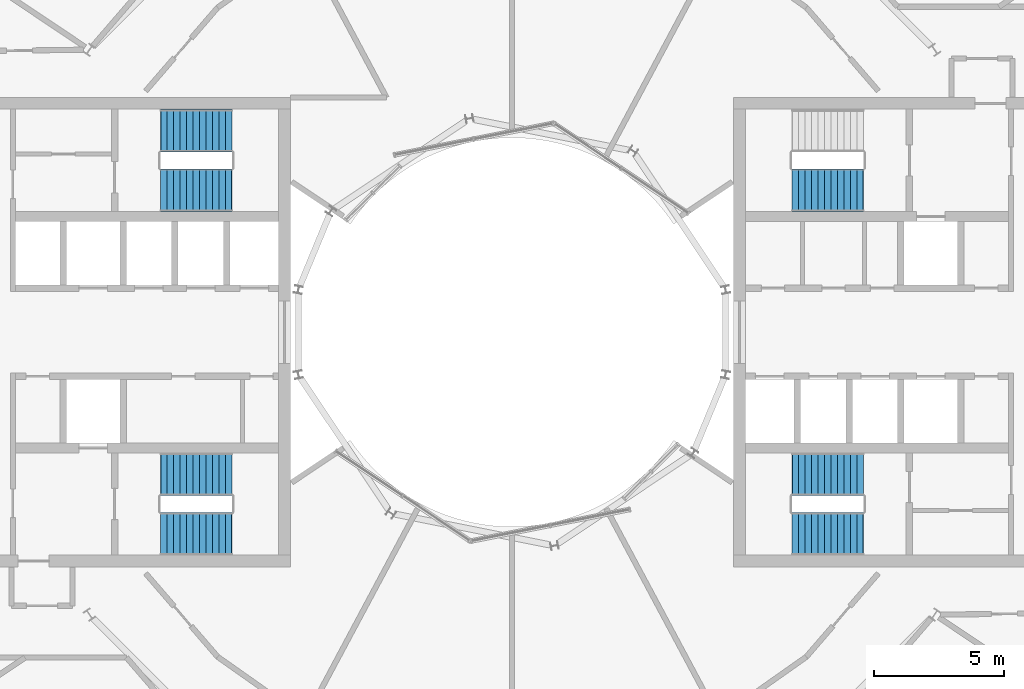
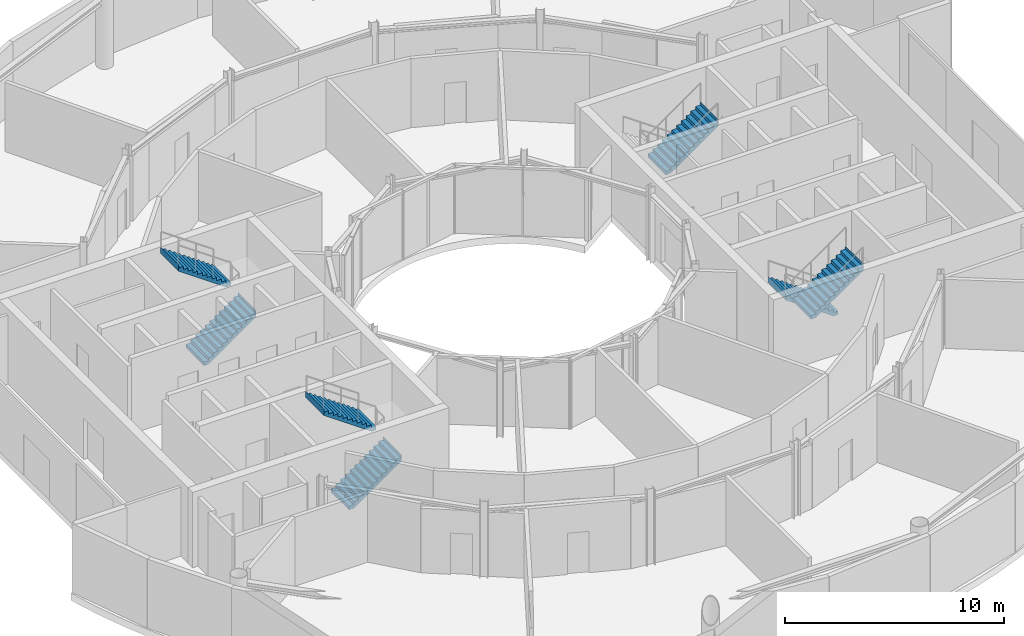
# One storey, part 17 of 19: 7 stair flights, 4 elements without a shape of their own.
"""IFC4 building model written with IfcOpenShell, lengths in metres."""

from ifc_helpers import new_model, si_unit, direction, frame, origin, place, context, subcontext, project, spatial, triangles, material, type_object, element, aggregate, save


model = new_model("IFC4")

# Units and contexts
model_context = context("Model", 3, precision=1e-05, world=origin(), true_north=direction((0.0, 1.0)))
body_context = subcontext(model_context, "Body", "Model", "MODEL_VIEW")
ifc_project = project(units=[si_unit("LENGTHUNIT", "METRE"), si_unit("AREAUNIT", "SQUARE_METRE"), si_unit("VOLUMEUNIT", "CUBIC_METRE"), si_unit("PLANEANGLEUNIT", "RADIAN"), si_unit("MASSUNIT", "GRAM", prefix="KILO")], contexts=[model_context])

# Site, building, storey
site_placement = place(None, origin())
site = spatial("IfcSite", under=ifc_project, at=site_placement, CompositionType="ELEMENT")
building_placement = place(site_placement, origin())
building = spatial("IfcBuilding", under=site, at=building_placement, Name="Maasbend Ring Residences", CompositionType="ELEMENT")
storey_placement = place(building_placement, frame((0.0, 0.0, 186.0)))
storey = spatial("IfcBuildingStorey", under=building, at=storey_placement, Name="L53", CompositionType="ELEMENT", Elevation=186.0)

# Stair, stair flight
ifc_material_1 = material(Name="Concrete C40/50", Category="concrete")
stair_type = type_object("IfcStairType", Name="CORE STAIR 24 RISERS", PredefinedType="HALF_TURN_STAIR", material=ifc_material_1)
stair_1_placement = place(storey_placement, origin())
stair_1 = element("IfcStair", 1, at=stair_1_placement, inside=storey, type_object=stair_type, Name="L53 Exit stair ST-E1", PredefinedType="HALF_TURN_STAIR")
ifc_material_2 = material(Name="Concrete C40/50", Category="concrete")
stair_flight_type = type_object("IfcStairFlightType", Name="CORE STAIR FLIGHT 1650", PredefinedType="STRAIGHT", material=ifc_material_2)
stair_flight_1_placement = place(storey_placement, frame((10.800048828125, 5.47509765625, 2.10009765625), z_axis=(0.0, 0.0, 1.0), x_axis=(1.0, 0.0, 0.0)))
stair_flight_1 = element("IfcStairFlight", 2, at=stair_flight_1_placement, type_object=stair_flight_type, Name="ST-E1 flight 2", NumberOfRisers=12, NumberOfTreads=11, PredefinedType="STRAIGHT", RiserHeight=0.175, TreadLength=0.25, context=body_context, shape_type="Tessellation", body=[
    triangles([(0.23583984375, 0.824951171875, -0.02001953125), (2.7529296875, 0.824951171875, 1.741943359375), (2.7529296875, 0.824951171875, 2.10009765625), (2.739990234375, 0.824951171875, 1.925048828125), (2.5, 0.824951171875, 1.925048828125), (2.5, 0.824951171875, 1.75), (2.25, 0.824951171875, 1.75), (2.25, 0.824951171875, 1.574951171875), (2.0, 0.824951171875, 1.574951171875), (2.0, 0.824951171875, 1.39990234375), (1.75, 0.824951171875, 1.39990234375), (1.75, 0.824951171875, 1.22509765625), (1.5, 0.824951171875, 1.22509765625), (1.5, 0.824951171875, 1.050048828125), (1.25, 0.824951171875, 1.050048828125), (1.25, 0.824951171875, 0.875), (1.0, 0.824951171875, 0.875), (1.0, 0.824951171875, 0.699951171875), (0.75, 0.824951171875, 0.699951171875), (0.75, 0.824951171875, 0.52490234375), (0.5, 0.824951171875, 0.52490234375), (0.5, 0.824951171875, 0.35009765625), (0.25, 0.824951171875, 0.35009765625), (0.25, 0.824951171875, 0.175048828125), (0.0, 0.824951171875, 0.175048828125), (0.0, 0.824951171875, 0.0), (-0.0029296875, 0.824951171875, 0.0), (-0.0029296875, 0.824951171875, -0.02001953125), (0.23583984375, -0.824951171875, -0.02001953125), (2.7529296875, -0.824951171875, 1.741943359375), (2.7529296875, -0.824951171875, 2.10009765625), (2.739990234375, -0.824951171875, 1.925048828125), (2.5, -0.824951171875, 1.925048828125), (2.5, -0.824951171875, 1.75), (2.25, -0.824951171875, 1.75), (2.25, -0.824951171875, 1.574951171875), (2.0, -0.824951171875, 1.574951171875), (2.0, -0.824951171875, 1.39990234375), (1.75, -0.824951171875, 1.39990234375), (1.75, -0.824951171875, 1.22509765625), (1.5, -0.824951171875, 1.22509765625), (1.5, -0.824951171875, 1.050048828125), (1.25, -0.824951171875, 1.050048828125), (1.25, -0.824951171875, 0.875), (1.0, -0.824951171875, 0.875), (1.0, -0.824951171875, 0.699951171875), (0.75, -0.824951171875, 0.699951171875), (0.75, -0.824951171875, 0.52490234375), (0.5, -0.824951171875, 0.52490234375), (0.5, -0.824951171875, 0.35009765625), (0.25, -0.824951171875, 0.35009765625), (0.25, -0.824951171875, 0.175048828125), (0.0, -0.824951171875, 0.175048828125), (0.0, -0.824951171875, 0.0), (-0.0029296875, -0.824951171875, 0.0), (-0.0029296875, -0.824951171875, -0.02001953125)], [[1, 2, 30], [1, 30, 29], [2, 3, 31], [2, 31, 30], [3, 4, 32], [3, 32, 31], [4, 5, 33], [4, 33, 32], [5, 6, 34], [5, 34, 33], [6, 7, 35], [6, 35, 34], [7, 8, 36], [7, 36, 35], [8, 9, 37], [8, 37, 36], [9, 10, 38], [9, 38, 37], [10, 11, 39], [10, 39, 38], [11, 12, 40], [11, 40, 39], [12, 13, 41], [12, 41, 40], [13, 14, 42], [13, 42, 41], [14, 15, 43], [14, 43, 42], [15, 16, 44], [15, 44, 43], [16, 17, 45], [16, 45, 44], [17, 18, 46], [17, 46, 45], [18, 19, 47], [18, 47, 46], [19, 20, 48], [19, 48, 47], [20, 21, 49], [20, 49, 48], [21, 22, 50], [21, 50, 49], [22, 23, 51], [22, 51, 50], [23, 24, 52], [23, 52, 51], [24, 25, 53], [24, 53, 52], [25, 26, 54], [25, 54, 53], [26, 27, 55], [26, 55, 54], [27, 28, 56], [27, 56, 55], [28, 1, 29], [28, 29, 56], [28, 2, 1], [2, 4, 3], [2, 5, 4], [2, 6, 5], [28, 6, 2], [6, 8, 7], [28, 8, 6], [8, 10, 9], [28, 10, 8], [10, 12, 11], [28, 12, 10], [12, 14, 13], [28, 14, 12], [14, 16, 15], [28, 16, 14], [16, 18, 17], [28, 18, 16], [18, 20, 19], [28, 20, 18], [20, 22, 21], [28, 22, 20], [22, 24, 23], [28, 24, 22], [24, 26, 25], [28, 26, 24], [26, 28, 27], [56, 29, 30], [30, 31, 32], [30, 32, 33], [30, 33, 34], [56, 30, 34], [34, 35, 36], [56, 34, 36], [36, 37, 38], [56, 36, 38], [38, 39, 40], [56, 38, 40], [40, 41, 42], [56, 40, 42], [42, 43, 44], [56, 42, 44], [44, 45, 46], [56, 44, 46], [46, 47, 48], [56, 46, 48], [48, 49, 50], [56, 48, 50], [50, 51, 52], [56, 50, 52], [52, 53, 54], [56, 52, 54], [54, 55, 56]], closed=True),
])
aggregate(stair_1, [stair_flight_1])

# Stair, stair flights
stair_2_placement = place(storey_placement, origin())
stair_2 = element("IfcStair", 3, at=stair_2_placement, inside=storey, type_object=stair_type, Name="L53 Exit stair ST-E2", PredefinedType="HALF_TURN_STAIR")
stair_flight_2_placement = place(storey_placement, frame((13.550048828125, -5.47509765625, 0.0), z_axis=(0.0, 0.0, 1.0), x_axis=(-1.0, 0.0, 0.0)))
stair_flight_2 = element("IfcStairFlight", 4, at=stair_flight_2_placement, type_object=stair_flight_type, Name="ST-E2 flight 1", NumberOfRisers=12, NumberOfTreads=11, PredefinedType="STRAIGHT", RiserHeight=0.175, TreadLength=0.25, context=body_context, shape_type="Tessellation", body=[
    triangles([(0.23583984375, 0.824951171875, -0.02001953125), (2.7529296875, 0.824951171875, 1.741943359375), (2.7529296875, 0.824951171875, 2.10009765625), (2.739990234375, 0.824951171875, 1.925048828125), (2.5, 0.824951171875, 1.925048828125), (2.5, 0.824951171875, 1.75), (2.25, 0.824951171875, 1.75), (2.25, 0.824951171875, 1.574951171875), (2.0, 0.824951171875, 1.574951171875), (2.0, 0.824951171875, 1.39990234375), (1.75, 0.824951171875, 1.39990234375), (1.75, 0.824951171875, 1.22509765625), (1.5, 0.824951171875, 1.22509765625), (1.5, 0.824951171875, 1.050048828125), (1.25, 0.824951171875, 1.050048828125), (1.25, 0.824951171875, 0.875), (1.0, 0.824951171875, 0.875), (1.0, 0.824951171875, 0.699951171875), (0.75, 0.824951171875, 0.699951171875), (0.75, 0.824951171875, 0.52490234375), (0.5, 0.824951171875, 0.52490234375), (0.5, 0.824951171875, 0.35009765625), (0.25, 0.824951171875, 0.35009765625), (0.25, 0.824951171875, 0.175048828125), (0.0, 0.824951171875, 0.175048828125), (0.0, 0.824951171875, 0.0), (-0.0029296875, 0.824951171875, 0.0), (-0.0029296875, 0.824951171875, -0.02001953125), (0.23583984375, -0.824951171875, -0.02001953125), (2.7529296875, -0.824951171875, 1.741943359375), (2.7529296875, -0.824951171875, 2.10009765625), (2.739990234375, -0.824951171875, 1.925048828125), (2.5, -0.824951171875, 1.925048828125), (2.5, -0.824951171875, 1.75), (2.25, -0.824951171875, 1.75), (2.25, -0.824951171875, 1.574951171875), (2.0, -0.824951171875, 1.574951171875), (2.0, -0.824951171875, 1.39990234375), (1.75, -0.824951171875, 1.39990234375), (1.75, -0.824951171875, 1.22509765625), (1.5, -0.824951171875, 1.22509765625), (1.5, -0.824951171875, 1.050048828125), (1.25, -0.824951171875, 1.050048828125), (1.25, -0.824951171875, 0.875), (1.0, -0.824951171875, 0.875), (1.0, -0.824951171875, 0.699951171875), (0.75, -0.824951171875, 0.699951171875), (0.75, -0.824951171875, 0.52490234375), (0.5, -0.824951171875, 0.52490234375), (0.5, -0.824951171875, 0.35009765625), (0.25, -0.824951171875, 0.35009765625), (0.25, -0.824951171875, 0.175048828125), (0.0, -0.824951171875, 0.175048828125), (0.0, -0.824951171875, 0.0), (-0.0029296875, -0.824951171875, 0.0), (-0.0029296875, -0.824951171875, -0.02001953125)], [[1, 2, 30], [1, 30, 29], [2, 3, 31], [2, 31, 30], [3, 4, 32], [3, 32, 31], [4, 5, 33], [4, 33, 32], [5, 6, 34], [5, 34, 33], [6, 7, 35], [6, 35, 34], [7, 8, 36], [7, 36, 35], [8, 9, 37], [8, 37, 36], [9, 10, 38], [9, 38, 37], [10, 11, 39], [10, 39, 38], [11, 12, 40], [11, 40, 39], [12, 13, 41], [12, 41, 40], [13, 14, 42], [13, 42, 41], [14, 15, 43], [14, 43, 42], [15, 16, 44], [15, 44, 43], [16, 17, 45], [16, 45, 44], [17, 18, 46], [17, 46, 45], [18, 19, 47], [18, 47, 46], [19, 20, 48], [19, 48, 47], [20, 21, 49], [20, 49, 48], [21, 22, 50], [21, 50, 49], [22, 23, 51], [22, 51, 50], [23, 24, 52], [23, 52, 51], [24, 25, 53], [24, 53, 52], [25, 26, 54], [25, 54, 53], [26, 27, 55], [26, 55, 54], [27, 28, 56], [27, 56, 55], [28, 1, 29], [28, 29, 56], [28, 2, 1], [2, 4, 3], [2, 5, 4], [2, 6, 5], [28, 6, 2], [6, 8, 7], [28, 8, 6], [8, 10, 9], [28, 10, 8], [10, 12, 11], [28, 12, 10], [12, 14, 13], [28, 14, 12], [14, 16, 15], [28, 16, 14], [16, 18, 17], [28, 18, 16], [18, 20, 19], [28, 20, 18], [20, 22, 21], [28, 22, 20], [22, 24, 23], [28, 24, 22], [24, 26, 25], [28, 26, 24], [26, 28, 27], [56, 29, 30], [30, 31, 32], [30, 32, 33], [30, 33, 34], [56, 30, 34], [34, 35, 36], [56, 34, 36], [36, 37, 38], [56, 36, 38], [38, 39, 40], [56, 38, 40], [40, 41, 42], [56, 40, 42], [42, 43, 44], [56, 42, 44], [44, 45, 46], [56, 44, 46], [46, 47, 48], [56, 46, 48], [48, 49, 50], [56, 48, 50], [50, 51, 52], [56, 50, 52], [52, 53, 54], [56, 52, 54], [54, 55, 56]], closed=True),
])
stair_flight_3_placement = place(storey_placement, frame((10.800048828125, -7.77490234375, 2.10009765625), z_axis=(0.0, 0.0, 1.0), x_axis=(1.0, 0.0, 0.0)))
stair_flight_3 = element("IfcStairFlight", 5, at=stair_flight_3_placement, type_object=stair_flight_type, Name="ST-E2 flight 2", NumberOfRisers=12, NumberOfTreads=11, PredefinedType="STRAIGHT", RiserHeight=0.175, TreadLength=0.25, context=body_context, shape_type="Tessellation", body=[
    triangles([(0.23583984375, 0.824951171875, -0.02001953125), (2.7529296875, 0.824951171875, 1.741943359375), (2.7529296875, 0.824951171875, 2.10009765625), (2.739990234375, 0.824951171875, 1.925048828125), (2.5, 0.824951171875, 1.925048828125), (2.5, 0.824951171875, 1.75), (2.25, 0.824951171875, 1.75), (2.25, 0.824951171875, 1.574951171875), (2.0, 0.824951171875, 1.574951171875), (2.0, 0.824951171875, 1.39990234375), (1.75, 0.824951171875, 1.39990234375), (1.75, 0.824951171875, 1.22509765625), (1.5, 0.824951171875, 1.22509765625), (1.5, 0.824951171875, 1.050048828125), (1.25, 0.824951171875, 1.050048828125), (1.25, 0.824951171875, 0.875), (1.0, 0.824951171875, 0.875), (1.0, 0.824951171875, 0.699951171875), (0.75, 0.824951171875, 0.699951171875), (0.75, 0.824951171875, 0.52490234375), (0.5, 0.824951171875, 0.52490234375), (0.5, 0.824951171875, 0.35009765625), (0.25, 0.824951171875, 0.35009765625), (0.25, 0.824951171875, 0.175048828125), (0.0, 0.824951171875, 0.175048828125), (0.0, 0.824951171875, 0.0), (-0.0029296875, 0.824951171875, 0.0), (-0.0029296875, 0.824951171875, -0.02001953125), (0.23583984375, -0.824951171875, -0.02001953125), (2.7529296875, -0.824951171875, 1.741943359375), (2.7529296875, -0.824951171875, 2.10009765625), (2.739990234375, -0.824951171875, 1.925048828125), (2.5, -0.824951171875, 1.925048828125), (2.5, -0.824951171875, 1.75), (2.25, -0.824951171875, 1.75), (2.25, -0.824951171875, 1.574951171875), (2.0, -0.824951171875, 1.574951171875), (2.0, -0.824951171875, 1.39990234375), (1.75, -0.824951171875, 1.39990234375), (1.75, -0.824951171875, 1.22509765625), (1.5, -0.824951171875, 1.22509765625), (1.5, -0.824951171875, 1.050048828125), (1.25, -0.824951171875, 1.050048828125), (1.25, -0.824951171875, 0.875), (1.0, -0.824951171875, 0.875), (1.0, -0.824951171875, 0.699951171875), (0.75, -0.824951171875, 0.699951171875), (0.75, -0.824951171875, 0.52490234375), (0.5, -0.824951171875, 0.52490234375), (0.5, -0.824951171875, 0.35009765625), (0.25, -0.824951171875, 0.35009765625), (0.25, -0.824951171875, 0.175048828125), (0.0, -0.824951171875, 0.175048828125), (0.0, -0.824951171875, 0.0), (-0.0029296875, -0.824951171875, 0.0), (-0.0029296875, -0.824951171875, -0.02001953125)], [[1, 2, 30], [1, 30, 29], [2, 3, 31], [2, 31, 30], [3, 4, 32], [3, 32, 31], [4, 5, 33], [4, 33, 32], [5, 6, 34], [5, 34, 33], [6, 7, 35], [6, 35, 34], [7, 8, 36], [7, 36, 35], [8, 9, 37], [8, 37, 36], [9, 10, 38], [9, 38, 37], [10, 11, 39], [10, 39, 38], [11, 12, 40], [11, 40, 39], [12, 13, 41], [12, 41, 40], [13, 14, 42], [13, 42, 41], [14, 15, 43], [14, 43, 42], [15, 16, 44], [15, 44, 43], [16, 17, 45], [16, 45, 44], [17, 18, 46], [17, 46, 45], [18, 19, 47], [18, 47, 46], [19, 20, 48], [19, 48, 47], [20, 21, 49], [20, 49, 48], [21, 22, 50], [21, 50, 49], [22, 23, 51], [22, 51, 50], [23, 24, 52], [23, 52, 51], [24, 25, 53], [24, 53, 52], [25, 26, 54], [25, 54, 53], [26, 27, 55], [26, 55, 54], [27, 28, 56], [27, 56, 55], [28, 1, 29], [28, 29, 56], [28, 2, 1], [2, 4, 3], [2, 5, 4], [2, 6, 5], [28, 6, 2], [6, 8, 7], [28, 8, 6], [8, 10, 9], [28, 10, 8], [10, 12, 11], [28, 12, 10], [12, 14, 13], [28, 14, 12], [14, 16, 15], [28, 16, 14], [16, 18, 17], [28, 18, 16], [18, 20, 19], [28, 20, 18], [20, 22, 21], [28, 22, 20], [22, 24, 23], [28, 24, 22], [24, 26, 25], [28, 26, 24], [26, 28, 27], [56, 29, 30], [30, 31, 32], [30, 32, 33], [30, 33, 34], [56, 30, 34], [34, 35, 36], [56, 34, 36], [36, 37, 38], [56, 36, 38], [38, 39, 40], [56, 38, 40], [40, 41, 42], [56, 40, 42], [42, 43, 44], [56, 42, 44], [44, 45, 46], [56, 44, 46], [46, 47, 48], [56, 46, 48], [48, 49, 50], [56, 48, 50], [50, 51, 52], [56, 50, 52], [52, 53, 54], [56, 52, 54], [54, 55, 56]], closed=True),
])
aggregate(stair_2, [stair_flight_2, stair_flight_3])

stair_3_placement = place(storey_placement, origin())
stair_3 = element("IfcStair", 6, at=stair_3_placement, inside=storey, type_object=stair_type, Name="L53 Exit stair ST-W1", PredefinedType="HALF_TURN_STAIR")
stair_flight_4_placement = place(storey_placement, frame((-13.550048828125, -7.77490234375, 0.0), z_axis=(0.0, 0.0, 1.0), x_axis=(1.0, 0.0, 0.0)))
stair_flight_4 = element("IfcStairFlight", 7, at=stair_flight_4_placement, type_object=stair_flight_type, Name="ST-W1 flight 1", NumberOfRisers=12, NumberOfTreads=11, PredefinedType="STRAIGHT", RiserHeight=0.175, TreadLength=0.25, context=body_context, shape_type="Tessellation", body=[
    triangles([(0.23583984375, 0.824951171875, -0.02001953125), (2.7529296875, 0.824951171875, 1.741943359375), (2.7529296875, 0.824951171875, 2.10009765625), (2.739990234375, 0.824951171875, 1.925048828125), (2.5, 0.824951171875, 1.925048828125), (2.5, 0.824951171875, 1.75), (2.25, 0.824951171875, 1.75), (2.25, 0.824951171875, 1.574951171875), (2.0, 0.824951171875, 1.574951171875), (2.0, 0.824951171875, 1.39990234375), (1.75, 0.824951171875, 1.39990234375), (1.75, 0.824951171875, 1.22509765625), (1.5, 0.824951171875, 1.22509765625), (1.5, 0.824951171875, 1.050048828125), (1.25, 0.824951171875, 1.050048828125), (1.25, 0.824951171875, 0.875), (1.0, 0.824951171875, 0.875), (1.0, 0.824951171875, 0.699951171875), (0.75, 0.824951171875, 0.699951171875), (0.75, 0.824951171875, 0.52490234375), (0.5, 0.824951171875, 0.52490234375), (0.5, 0.824951171875, 0.35009765625), (0.25, 0.824951171875, 0.35009765625), (0.25, 0.824951171875, 0.175048828125), (0.0, 0.824951171875, 0.175048828125), (0.0, 0.824951171875, 0.0), (-0.0029296875, 0.824951171875, 0.0), (-0.0029296875, 0.824951171875, -0.02001953125), (0.23583984375, -0.824951171875, -0.02001953125), (2.7529296875, -0.824951171875, 1.741943359375), (2.7529296875, -0.824951171875, 2.10009765625), (2.739990234375, -0.824951171875, 1.925048828125), (2.5, -0.824951171875, 1.925048828125), (2.5, -0.824951171875, 1.75), (2.25, -0.824951171875, 1.75), (2.25, -0.824951171875, 1.574951171875), (2.0, -0.824951171875, 1.574951171875), (2.0, -0.824951171875, 1.39990234375), (1.75, -0.824951171875, 1.39990234375), (1.75, -0.824951171875, 1.22509765625), (1.5, -0.824951171875, 1.22509765625), (1.5, -0.824951171875, 1.050048828125), (1.25, -0.824951171875, 1.050048828125), (1.25, -0.824951171875, 0.875), (1.0, -0.824951171875, 0.875), (1.0, -0.824951171875, 0.699951171875), (0.75, -0.824951171875, 0.699951171875), (0.75, -0.824951171875, 0.52490234375), (0.5, -0.824951171875, 0.52490234375), (0.5, -0.824951171875, 0.35009765625), (0.25, -0.824951171875, 0.35009765625), (0.25, -0.824951171875, 0.175048828125), (0.0, -0.824951171875, 0.175048828125), (0.0, -0.824951171875, 0.0), (-0.0029296875, -0.824951171875, 0.0), (-0.0029296875, -0.824951171875, -0.02001953125)], [[1, 2, 30], [1, 30, 29], [2, 3, 31], [2, 31, 30], [3, 4, 32], [3, 32, 31], [4, 5, 33], [4, 33, 32], [5, 6, 34], [5, 34, 33], [6, 7, 35], [6, 35, 34], [7, 8, 36], [7, 36, 35], [8, 9, 37], [8, 37, 36], [9, 10, 38], [9, 38, 37], [10, 11, 39], [10, 39, 38], [11, 12, 40], [11, 40, 39], [12, 13, 41], [12, 41, 40], [13, 14, 42], [13, 42, 41], [14, 15, 43], [14, 43, 42], [15, 16, 44], [15, 44, 43], [16, 17, 45], [16, 45, 44], [17, 18, 46], [17, 46, 45], [18, 19, 47], [18, 47, 46], [19, 20, 48], [19, 48, 47], [20, 21, 49], [20, 49, 48], [21, 22, 50], [21, 50, 49], [22, 23, 51], [22, 51, 50], [23, 24, 52], [23, 52, 51], [24, 25, 53], [24, 53, 52], [25, 26, 54], [25, 54, 53], [26, 27, 55], [26, 55, 54], [27, 28, 56], [27, 56, 55], [28, 1, 29], [28, 29, 56], [28, 2, 1], [2, 4, 3], [2, 5, 4], [2, 6, 5], [28, 6, 2], [6, 8, 7], [28, 8, 6], [8, 10, 9], [28, 10, 8], [10, 12, 11], [28, 12, 10], [12, 14, 13], [28, 14, 12], [14, 16, 15], [28, 16, 14], [16, 18, 17], [28, 18, 16], [18, 20, 19], [28, 20, 18], [20, 22, 21], [28, 22, 20], [22, 24, 23], [28, 24, 22], [24, 26, 25], [28, 26, 24], [26, 28, 27], [56, 29, 30], [30, 31, 32], [30, 32, 33], [30, 33, 34], [56, 30, 34], [34, 35, 36], [56, 34, 36], [36, 37, 38], [56, 36, 38], [38, 39, 40], [56, 38, 40], [40, 41, 42], [56, 40, 42], [42, 43, 44], [56, 42, 44], [44, 45, 46], [56, 44, 46], [46, 47, 48], [56, 46, 48], [48, 49, 50], [56, 48, 50], [50, 51, 52], [56, 50, 52], [52, 53, 54], [56, 52, 54], [54, 55, 56]], closed=True),
])
stair_flight_5_placement = place(storey_placement, frame((-10.800048828125, -5.47509765625, 2.10009765625), z_axis=(0.0, 0.0, 1.0), x_axis=(-1.0, 0.0, 0.0)))
stair_flight_5 = element("IfcStairFlight", 8, at=stair_flight_5_placement, type_object=stair_flight_type, Name="ST-W1 flight 2", NumberOfRisers=12, NumberOfTreads=11, PredefinedType="STRAIGHT", RiserHeight=0.175, TreadLength=0.25, context=body_context, shape_type="Tessellation", body=[
    triangles([(0.23583984375, 0.824951171875, -0.02001953125), (2.7529296875, 0.824951171875, 1.741943359375), (2.7529296875, 0.824951171875, 2.10009765625), (2.739990234375, 0.824951171875, 1.925048828125), (2.5, 0.824951171875, 1.925048828125), (2.5, 0.824951171875, 1.75), (2.25, 0.824951171875, 1.75), (2.25, 0.824951171875, 1.574951171875), (2.0, 0.824951171875, 1.574951171875), (2.0, 0.824951171875, 1.39990234375), (1.75, 0.824951171875, 1.39990234375), (1.75, 0.824951171875, 1.22509765625), (1.5, 0.824951171875, 1.22509765625), (1.5, 0.824951171875, 1.050048828125), (1.25, 0.824951171875, 1.050048828125), (1.25, 0.824951171875, 0.875), (1.0, 0.824951171875, 0.875), (1.0, 0.824951171875, 0.699951171875), (0.75, 0.824951171875, 0.699951171875), (0.75, 0.824951171875, 0.52490234375), (0.5, 0.824951171875, 0.52490234375), (0.5, 0.824951171875, 0.35009765625), (0.25, 0.824951171875, 0.35009765625), (0.25, 0.824951171875, 0.175048828125), (0.0, 0.824951171875, 0.175048828125), (0.0, 0.824951171875, 0.0), (-0.0029296875, 0.824951171875, 0.0), (-0.0029296875, 0.824951171875, -0.02001953125), (0.23583984375, -0.824951171875, -0.02001953125), (2.7529296875, -0.824951171875, 1.741943359375), (2.7529296875, -0.824951171875, 2.10009765625), (2.739990234375, -0.824951171875, 1.925048828125), (2.5, -0.824951171875, 1.925048828125), (2.5, -0.824951171875, 1.75), (2.25, -0.824951171875, 1.75), (2.25, -0.824951171875, 1.574951171875), (2.0, -0.824951171875, 1.574951171875), (2.0, -0.824951171875, 1.39990234375), (1.75, -0.824951171875, 1.39990234375), (1.75, -0.824951171875, 1.22509765625), (1.5, -0.824951171875, 1.22509765625), (1.5, -0.824951171875, 1.050048828125), (1.25, -0.824951171875, 1.050048828125), (1.25, -0.824951171875, 0.875), (1.0, -0.824951171875, 0.875), (1.0, -0.824951171875, 0.699951171875), (0.75, -0.824951171875, 0.699951171875), (0.75, -0.824951171875, 0.52490234375), (0.5, -0.824951171875, 0.52490234375), (0.5, -0.824951171875, 0.35009765625), (0.25, -0.824951171875, 0.35009765625), (0.25, -0.824951171875, 0.175048828125), (0.0, -0.824951171875, 0.175048828125), (0.0, -0.824951171875, 0.0), (-0.0029296875, -0.824951171875, 0.0), (-0.0029296875, -0.824951171875, -0.02001953125)], [[1, 2, 30], [1, 30, 29], [2, 3, 31], [2, 31, 30], [3, 4, 32], [3, 32, 31], [4, 5, 33], [4, 33, 32], [5, 6, 34], [5, 34, 33], [6, 7, 35], [6, 35, 34], [7, 8, 36], [7, 36, 35], [8, 9, 37], [8, 37, 36], [9, 10, 38], [9, 38, 37], [10, 11, 39], [10, 39, 38], [11, 12, 40], [11, 40, 39], [12, 13, 41], [12, 41, 40], [13, 14, 42], [13, 42, 41], [14, 15, 43], [14, 43, 42], [15, 16, 44], [15, 44, 43], [16, 17, 45], [16, 45, 44], [17, 18, 46], [17, 46, 45], [18, 19, 47], [18, 47, 46], [19, 20, 48], [19, 48, 47], [20, 21, 49], [20, 49, 48], [21, 22, 50], [21, 50, 49], [22, 23, 51], [22, 51, 50], [23, 24, 52], [23, 52, 51], [24, 25, 53], [24, 53, 52], [25, 26, 54], [25, 54, 53], [26, 27, 55], [26, 55, 54], [27, 28, 56], [27, 56, 55], [28, 1, 29], [28, 29, 56], [28, 2, 1], [2, 4, 3], [2, 5, 4], [2, 6, 5], [28, 6, 2], [6, 8, 7], [28, 8, 6], [8, 10, 9], [28, 10, 8], [10, 12, 11], [28, 12, 10], [12, 14, 13], [28, 14, 12], [14, 16, 15], [28, 16, 14], [16, 18, 17], [28, 18, 16], [18, 20, 19], [28, 20, 18], [20, 22, 21], [28, 22, 20], [22, 24, 23], [28, 24, 22], [24, 26, 25], [28, 26, 24], [26, 28, 27], [56, 29, 30], [30, 31, 32], [30, 32, 33], [30, 33, 34], [56, 30, 34], [34, 35, 36], [56, 34, 36], [36, 37, 38], [56, 36, 38], [38, 39, 40], [56, 38, 40], [40, 41, 42], [56, 40, 42], [42, 43, 44], [56, 42, 44], [44, 45, 46], [56, 44, 46], [46, 47, 48], [56, 46, 48], [48, 49, 50], [56, 48, 50], [50, 51, 52], [56, 50, 52], [52, 53, 54], [56, 52, 54], [54, 55, 56]], closed=True),
])
aggregate(stair_3, [stair_flight_4, stair_flight_5])

stair_4_placement = place(storey_placement, origin())
stair_4 = element("IfcStair", 9, at=stair_4_placement, inside=storey, type_object=stair_type, Name="L53 Exit stair ST-W2", PredefinedType="HALF_TURN_STAIR")
stair_flight_6_placement = place(storey_placement, frame((-13.550048828125, 5.47509765625, 0.0), z_axis=(0.0, 0.0, 1.0), x_axis=(1.0, 0.0, 0.0)))
stair_flight_6 = element("IfcStairFlight", 10, at=stair_flight_6_placement, type_object=stair_flight_type, Name="ST-W2 flight 1", NumberOfRisers=12, NumberOfTreads=11, PredefinedType="STRAIGHT", RiserHeight=0.175, TreadLength=0.25, context=body_context, shape_type="Tessellation", body=[
    triangles([(0.23583984375, 0.824951171875, -0.02001953125), (2.7529296875, 0.824951171875, 1.741943359375), (2.7529296875, 0.824951171875, 2.10009765625), (2.739990234375, 0.824951171875, 1.925048828125), (2.5, 0.824951171875, 1.925048828125), (2.5, 0.824951171875, 1.75), (2.25, 0.824951171875, 1.75), (2.25, 0.824951171875, 1.574951171875), (2.0, 0.824951171875, 1.574951171875), (2.0, 0.824951171875, 1.39990234375), (1.75, 0.824951171875, 1.39990234375), (1.75, 0.824951171875, 1.22509765625), (1.5, 0.824951171875, 1.22509765625), (1.5, 0.824951171875, 1.050048828125), (1.25, 0.824951171875, 1.050048828125), (1.25, 0.824951171875, 0.875), (1.0, 0.824951171875, 0.875), (1.0, 0.824951171875, 0.699951171875), (0.75, 0.824951171875, 0.699951171875), (0.75, 0.824951171875, 0.52490234375), (0.5, 0.824951171875, 0.52490234375), (0.5, 0.824951171875, 0.35009765625), (0.25, 0.824951171875, 0.35009765625), (0.25, 0.824951171875, 0.175048828125), (0.0, 0.824951171875, 0.175048828125), (0.0, 0.824951171875, 0.0), (-0.0029296875, 0.824951171875, 0.0), (-0.0029296875, 0.824951171875, -0.02001953125), (0.23583984375, -0.824951171875, -0.02001953125), (2.7529296875, -0.824951171875, 1.741943359375), (2.7529296875, -0.824951171875, 2.10009765625), (2.739990234375, -0.824951171875, 1.925048828125), (2.5, -0.824951171875, 1.925048828125), (2.5, -0.824951171875, 1.75), (2.25, -0.824951171875, 1.75), (2.25, -0.824951171875, 1.574951171875), (2.0, -0.824951171875, 1.574951171875), (2.0, -0.824951171875, 1.39990234375), (1.75, -0.824951171875, 1.39990234375), (1.75, -0.824951171875, 1.22509765625), (1.5, -0.824951171875, 1.22509765625), (1.5, -0.824951171875, 1.050048828125), (1.25, -0.824951171875, 1.050048828125), (1.25, -0.824951171875, 0.875), (1.0, -0.824951171875, 0.875), (1.0, -0.824951171875, 0.699951171875), (0.75, -0.824951171875, 0.699951171875), (0.75, -0.824951171875, 0.52490234375), (0.5, -0.824951171875, 0.52490234375), (0.5, -0.824951171875, 0.35009765625), (0.25, -0.824951171875, 0.35009765625), (0.25, -0.824951171875, 0.175048828125), (0.0, -0.824951171875, 0.175048828125), (0.0, -0.824951171875, 0.0), (-0.0029296875, -0.824951171875, 0.0), (-0.0029296875, -0.824951171875, -0.02001953125)], [[1, 2, 30], [1, 30, 29], [2, 3, 31], [2, 31, 30], [3, 4, 32], [3, 32, 31], [4, 5, 33], [4, 33, 32], [5, 6, 34], [5, 34, 33], [6, 7, 35], [6, 35, 34], [7, 8, 36], [7, 36, 35], [8, 9, 37], [8, 37, 36], [9, 10, 38], [9, 38, 37], [10, 11, 39], [10, 39, 38], [11, 12, 40], [11, 40, 39], [12, 13, 41], [12, 41, 40], [13, 14, 42], [13, 42, 41], [14, 15, 43], [14, 43, 42], [15, 16, 44], [15, 44, 43], [16, 17, 45], [16, 45, 44], [17, 18, 46], [17, 46, 45], [18, 19, 47], [18, 47, 46], [19, 20, 48], [19, 48, 47], [20, 21, 49], [20, 49, 48], [21, 22, 50], [21, 50, 49], [22, 23, 51], [22, 51, 50], [23, 24, 52], [23, 52, 51], [24, 25, 53], [24, 53, 52], [25, 26, 54], [25, 54, 53], [26, 27, 55], [26, 55, 54], [27, 28, 56], [27, 56, 55], [28, 1, 29], [28, 29, 56], [28, 2, 1], [2, 4, 3], [2, 5, 4], [2, 6, 5], [28, 6, 2], [6, 8, 7], [28, 8, 6], [8, 10, 9], [28, 10, 8], [10, 12, 11], [28, 12, 10], [12, 14, 13], [28, 14, 12], [14, 16, 15], [28, 16, 14], [16, 18, 17], [28, 18, 16], [18, 20, 19], [28, 20, 18], [20, 22, 21], [28, 22, 20], [22, 24, 23], [28, 24, 22], [24, 26, 25], [28, 26, 24], [26, 28, 27], [56, 29, 30], [30, 31, 32], [30, 32, 33], [30, 33, 34], [56, 30, 34], [34, 35, 36], [56, 34, 36], [36, 37, 38], [56, 36, 38], [38, 39, 40], [56, 38, 40], [40, 41, 42], [56, 40, 42], [42, 43, 44], [56, 42, 44], [44, 45, 46], [56, 44, 46], [46, 47, 48], [56, 46, 48], [48, 49, 50], [56, 48, 50], [50, 51, 52], [56, 50, 52], [52, 53, 54], [56, 52, 54], [54, 55, 56]], closed=True),
])
stair_flight_7_placement = place(storey_placement, frame((-10.800048828125, 7.77490234375, 2.10009765625), z_axis=(0.0, 0.0, 1.0), x_axis=(-1.0, 0.0, 0.0)))
stair_flight_7 = element("IfcStairFlight", 11, at=stair_flight_7_placement, type_object=stair_flight_type, Name="ST-W2 flight 2", NumberOfRisers=12, NumberOfTreads=11, PredefinedType="STRAIGHT", RiserHeight=0.175, TreadLength=0.25, context=body_context, shape_type="Tessellation", body=[
    triangles([(0.23583984375, 0.824951171875, -0.02001953125), (2.7529296875, 0.824951171875, 1.741943359375), (2.7529296875, 0.824951171875, 2.10009765625), (2.739990234375, 0.824951171875, 1.925048828125), (2.5, 0.824951171875, 1.925048828125), (2.5, 0.824951171875, 1.75), (2.25, 0.824951171875, 1.75), (2.25, 0.824951171875, 1.574951171875), (2.0, 0.824951171875, 1.574951171875), (2.0, 0.824951171875, 1.39990234375), (1.75, 0.824951171875, 1.39990234375), (1.75, 0.824951171875, 1.22509765625), (1.5, 0.824951171875, 1.22509765625), (1.5, 0.824951171875, 1.050048828125), (1.25, 0.824951171875, 1.050048828125), (1.25, 0.824951171875, 0.875), (1.0, 0.824951171875, 0.875), (1.0, 0.824951171875, 0.699951171875), (0.75, 0.824951171875, 0.699951171875), (0.75, 0.824951171875, 0.52490234375), (0.5, 0.824951171875, 0.52490234375), (0.5, 0.824951171875, 0.35009765625), (0.25, 0.824951171875, 0.35009765625), (0.25, 0.824951171875, 0.175048828125), (0.0, 0.824951171875, 0.175048828125), (0.0, 0.824951171875, 0.0), (-0.0029296875, 0.824951171875, 0.0), (-0.0029296875, 0.824951171875, -0.02001953125), (0.23583984375, -0.824951171875, -0.02001953125), (2.7529296875, -0.824951171875, 1.741943359375), (2.7529296875, -0.824951171875, 2.10009765625), (2.739990234375, -0.824951171875, 1.925048828125), (2.5, -0.824951171875, 1.925048828125), (2.5, -0.824951171875, 1.75), (2.25, -0.824951171875, 1.75), (2.25, -0.824951171875, 1.574951171875), (2.0, -0.824951171875, 1.574951171875), (2.0, -0.824951171875, 1.39990234375), (1.75, -0.824951171875, 1.39990234375), (1.75, -0.824951171875, 1.22509765625), (1.5, -0.824951171875, 1.22509765625), (1.5, -0.824951171875, 1.050048828125), (1.25, -0.824951171875, 1.050048828125), (1.25, -0.824951171875, 0.875), (1.0, -0.824951171875, 0.875), (1.0, -0.824951171875, 0.699951171875), (0.75, -0.824951171875, 0.699951171875), (0.75, -0.824951171875, 0.52490234375), (0.5, -0.824951171875, 0.52490234375), (0.5, -0.824951171875, 0.35009765625), (0.25, -0.824951171875, 0.35009765625), (0.25, -0.824951171875, 0.175048828125), (0.0, -0.824951171875, 0.175048828125), (0.0, -0.824951171875, 0.0), (-0.0029296875, -0.824951171875, 0.0), (-0.0029296875, -0.824951171875, -0.02001953125)], [[1, 2, 30], [1, 30, 29], [2, 3, 31], [2, 31, 30], [3, 4, 32], [3, 32, 31], [4, 5, 33], [4, 33, 32], [5, 6, 34], [5, 34, 33], [6, 7, 35], [6, 35, 34], [7, 8, 36], [7, 36, 35], [8, 9, 37], [8, 37, 36], [9, 10, 38], [9, 38, 37], [10, 11, 39], [10, 39, 38], [11, 12, 40], [11, 40, 39], [12, 13, 41], [12, 41, 40], [13, 14, 42], [13, 42, 41], [14, 15, 43], [14, 43, 42], [15, 16, 44], [15, 44, 43], [16, 17, 45], [16, 45, 44], [17, 18, 46], [17, 46, 45], [18, 19, 47], [18, 47, 46], [19, 20, 48], [19, 48, 47], [20, 21, 49], [20, 49, 48], [21, 22, 50], [21, 50, 49], [22, 23, 51], [22, 51, 50], [23, 24, 52], [23, 52, 51], [24, 25, 53], [24, 53, 52], [25, 26, 54], [25, 54, 53], [26, 27, 55], [26, 55, 54], [27, 28, 56], [27, 56, 55], [28, 1, 29], [28, 29, 56], [28, 2, 1], [2, 4, 3], [2, 5, 4], [2, 6, 5], [28, 6, 2], [6, 8, 7], [28, 8, 6], [8, 10, 9], [28, 10, 8], [10, 12, 11], [28, 12, 10], [12, 14, 13], [28, 14, 12], [14, 16, 15], [28, 16, 14], [16, 18, 17], [28, 18, 16], [18, 20, 19], [28, 20, 18], [20, 22, 21], [28, 22, 20], [22, 24, 23], [28, 24, 22], [24, 26, 25], [28, 26, 24], [26, 28, 27], [56, 29, 30], [30, 31, 32], [30, 32, 33], [30, 33, 34], [56, 30, 34], [34, 35, 36], [56, 34, 36], [36, 37, 38], [56, 36, 38], [38, 39, 40], [56, 38, 40], [40, 41, 42], [56, 40, 42], [42, 43, 44], [56, 42, 44], [44, 45, 46], [56, 44, 46], [46, 47, 48], [56, 46, 48], [48, 49, 50], [56, 48, 50], [50, 51, 52], [56, 50, 52], [52, 53, 54], [56, 52, 54], [54, 55, 56]], closed=True),
])
aggregate(stair_4, [stair_flight_6, stair_flight_7])

save(model, "model.ifc")
